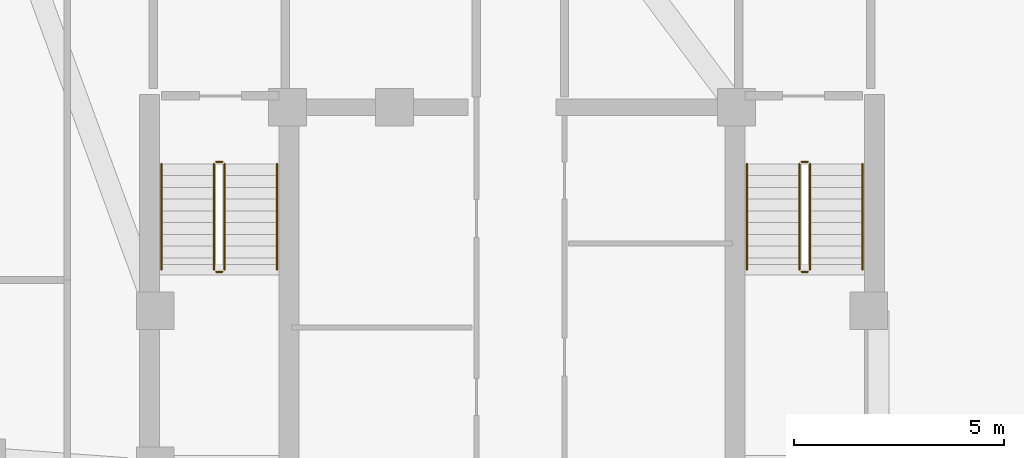
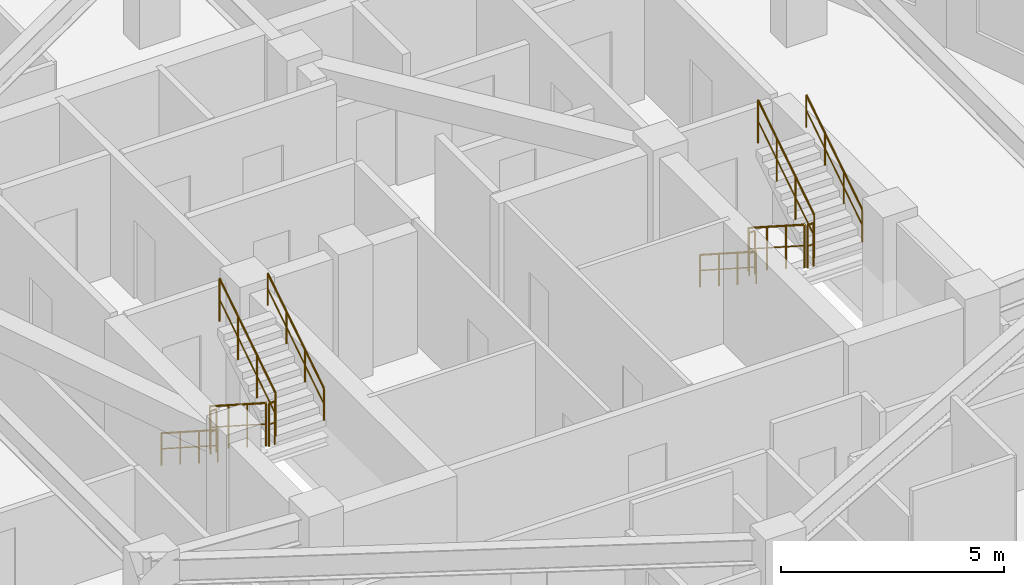
# One storey, part 12 of 12: 12 railings.
"""IFC4 building model written with IfcOpenShell, lengths in metres."""

from ifc_helpers import new_model, si_unit, direction, frame, origin, origin_2d, place, context, subcontext, project, spatial, circle, extrude, material, type_object, element, save


model = new_model("IFC4")

# Units and contexts
model_context = context("Model", 3, precision=1e-05, world=origin(), true_north=direction((0.0, 1.0)))
body_context = subcontext(model_context, "Body", "Model", "MODEL_VIEW")
ifc_project = project(units=[si_unit("LENGTHUNIT", "METRE"), si_unit("AREAUNIT", "SQUARE_METRE"), si_unit("VOLUMEUNIT", "CUBIC_METRE"), si_unit("PLANEANGLEUNIT", "RADIAN"), si_unit("MASSUNIT", "GRAM", prefix="KILO")], contexts=[model_context])

# Site, building, storey
site_placement = place(None, origin())
site = spatial("IfcSite", under=ifc_project, at=site_placement, CompositionType="ELEMENT")
building_placement = place(site_placement, origin())
building = spatial("IfcBuilding", under=site, at=building_placement, Name="Miruveldt Soraemaru", CompositionType="ELEMENT")
storey_placement = place(building_placement, frame((0.0, 0.0, 216.0)))
storey = spatial("IfcBuildingStorey", under=building, at=storey_placement, Name="L59", CompositionType="ELEMENT", Elevation=216.0)

# Railings
ifc_material = material(Name="Steel S355 (355 MPa)", Category="steel")
railing_type_1 = type_object("IfcRailingType", Name="RAIL-HR-900", PredefinedType="HANDRAIL", material=ifc_material)
railing_1_placement = place(storey_placement, frame((35.64990234375, 42.699951171875, 0.179931640625)))
element("IfcRailing", 1, at=railing_1_placement, inside=storey, type_object=railing_type_1, Name="L59 ST-1 stair handrail 1", PredefinedType="HANDRAIL", context=body_context, shape_type="SweptSolid", body=[
    extrude(circle(Radius=0.02392578125, at=origin_2d()), frame((0.0, 0.0, 0.8759765625), z_axis=(0.0, -0.841162588446, 0.540782303519), x_axis=(1.0, 0.0, 0.0)), (0.0, 0.0, 1.0), 2.995849609375),
    extrude(circle(Radius=0.01611328125, at=origin_2d()), frame((0.0, 0.0, 0.449951171875), z_axis=(0.0, -0.841162588446, 0.540782303519), x_axis=(1.0, 0.0, 0.0)), (0.0, 0.0, 1.0), 2.995849609375),
    extrude(circle(Radius=0.02099609375, at=origin_2d()), origin(), (0.0, 0.0, 1.0), 0.851806640625),
    extrude(circle(Radius=0.02099609375, at=origin_2d()), frame((0.0, -0.840087890625, 0.5400390625)), (0.0, 0.0, 1.0), 0.851806640625),
    extrude(circle(Radius=0.02099609375, at=origin_2d()), frame((0.0, -1.679931640625, 1.080078125)), (0.0, 0.0, 1.0), 0.851806640625),
    extrude(circle(Radius=0.02099609375, at=origin_2d()), frame((0.0, -2.52001953125, 1.6201171875)), (0.0, 0.0, 1.0), 0.851806640625),
])
railing_2_placement = place(storey_placement, frame((38.39990234375, 40.179931640625, 1.97998046875)))
element("IfcRailing", 2, at=railing_2_placement, inside=storey, type_object=railing_type_1, Name="L59 ST-1 stair handrail 2", PredefinedType="HANDRAIL", context=body_context, shape_type="SweptSolid", body=[
    extrude(circle(Radius=0.02392578125, at=origin_2d()), frame((0.0, 0.0, 0.8759765625), z_axis=(0.0, 0.841162588446, 0.540782303519), x_axis=(-1.0, 0.0, 0.0)), (0.0, 0.0, 1.0), 2.995849609375),
    extrude(circle(Radius=0.01611328125, at=origin_2d()), frame((0.0, 0.0, 0.449951171875), z_axis=(0.0, 0.841162588446, 0.540782303519), x_axis=(-1.0, 0.0, 0.0)), (0.0, 0.0, 1.0), 2.995849609375),
    extrude(circle(Radius=0.02099609375, at=origin_2d()), origin(), (0.0, 0.0, 1.0), 0.851806640625),
    extrude(circle(Radius=0.02099609375, at=origin_2d()), frame((0.0, 0.840087890625, 0.5400390625)), (0.0, 0.0, 1.0), 0.851806640625),
    extrude(circle(Radius=0.02099609375, at=origin_2d()), frame((0.0, 1.679931640625, 1.080078125)), (0.0, 0.0, 1.0), 0.851806640625),
    extrude(circle(Radius=0.02099609375, at=origin_2d()), frame((0.0, 2.52001953125, 1.6201171875)), (0.0, 0.0, 1.0), 0.851806640625),
])
railing_3_placement = place(storey_placement, frame((49.60009765625, 42.699951171875, 0.179931640625)))
element("IfcRailing", 3, at=railing_3_placement, inside=storey, type_object=railing_type_1, Name="L59 ST-2 stair handrail 1", PredefinedType="HANDRAIL", context=body_context, shape_type="SweptSolid", body=[
    extrude(circle(Radius=0.02392578125, at=origin_2d()), frame((0.0, 0.0, 0.8759765625), z_axis=(0.0, -0.841162588446, 0.540782303519), x_axis=(1.0, 0.0, 0.0)), (0.0, 0.0, 1.0), 2.995849609375),
    extrude(circle(Radius=0.01611328125, at=origin_2d()), frame((0.0, 0.0, 0.449951171875), z_axis=(0.0, -0.841162588446, 0.540782303519), x_axis=(1.0, 0.0, 0.0)), (0.0, 0.0, 1.0), 2.995849609375),
    extrude(circle(Radius=0.02099609375, at=origin_2d()), origin(), (0.0, 0.0, 1.0), 0.851806640625),
    extrude(circle(Radius=0.02099609375, at=origin_2d()), frame((0.0, -0.840087890625, 0.5400390625)), (0.0, 0.0, 1.0), 0.851806640625),
    extrude(circle(Radius=0.02099609375, at=origin_2d()), frame((0.0, -1.679931640625, 1.080078125)), (0.0, 0.0, 1.0), 0.851806640625),
    extrude(circle(Radius=0.02099609375, at=origin_2d()), frame((0.0, -2.52001953125, 1.6201171875)), (0.0, 0.0, 1.0), 0.851806640625),
])
railing_4_placement = place(storey_placement, frame((52.35009765625, 40.179931640625, 1.97998046875)))
element("IfcRailing", 4, at=railing_4_placement, inside=storey, type_object=railing_type_1, Name="L59 ST-2 stair handrail 2", PredefinedType="HANDRAIL", context=body_context, shape_type="SweptSolid", body=[
    extrude(circle(Radius=0.02392578125, at=origin_2d()), frame((0.0, 0.0, 0.8759765625), z_axis=(0.0, 0.841162588446, 0.540782303519), x_axis=(-1.0, 0.0, 0.0)), (0.0, 0.0, 1.0), 2.995849609375),
    extrude(circle(Radius=0.01611328125, at=origin_2d()), frame((0.0, 0.0, 0.449951171875), z_axis=(0.0, 0.841162588446, 0.540782303519), x_axis=(-1.0, 0.0, 0.0)), (0.0, 0.0, 1.0), 2.995849609375),
    extrude(circle(Radius=0.02099609375, at=origin_2d()), origin(), (0.0, 0.0, 1.0), 0.851806640625),
    extrude(circle(Radius=0.02099609375, at=origin_2d()), frame((0.0, 0.840087890625, 0.5400390625)), (0.0, 0.0, 1.0), 0.851806640625),
    extrude(circle(Radius=0.02099609375, at=origin_2d()), frame((0.0, 1.679931640625, 1.080078125)), (0.0, 0.0, 1.0), 0.851806640625),
    extrude(circle(Radius=0.02099609375, at=origin_2d()), frame((0.0, 2.52001953125, 1.6201171875)), (0.0, 0.0, 1.0), 0.851806640625),
])
railing_type_2 = type_object("IfcRailingType", Name="RAIL-STGUARD-1200", PredefinedType="GUARDRAIL", material=ifc_material)
railing_5_placement = place(storey_placement, frame((36.89990234375, 42.699951171875, 0.179931640625)))
element("IfcRailing", 5, at=railing_5_placement, inside=storey, type_object=railing_type_2, Name="L59 ST-1 stair guard 1", PredefinedType="GUARDRAIL", context=body_context, shape_type="SweptSolid", body=[
    extrude(circle(Radius=0.02392578125, at=origin_2d()), frame((0.0, 0.0, 1.17578125), z_axis=(0.0, -0.841162588446, 0.540782303519), x_axis=(1.0, 0.0, 0.0)), (0.0, 0.0, 1.0), 2.995849609375),
    extrude(circle(Radius=0.01611328125, at=origin_2d()), frame((0.0, 0.0, 0.60009765625), z_axis=(0.0, -0.841162588446, 0.540782303519), x_axis=(1.0, 0.0, 0.0)), (0.0, 0.0, 1.0), 2.995849609375),
    extrude(circle(Radius=0.02099609375, at=origin_2d()), origin(), (0.0, 0.0, 1.0), 1.15185546875),
    extrude(circle(Radius=0.02099609375, at=origin_2d()), frame((0.0, -0.840087890625, 0.5400390625)), (0.0, 0.0, 1.0), 1.15185546875),
    extrude(circle(Radius=0.02099609375, at=origin_2d()), frame((0.0, -1.679931640625, 1.080078125)), (0.0, 0.0, 1.0), 1.15185546875),
    extrude(circle(Radius=0.02099609375, at=origin_2d()), frame((0.0, -2.52001953125, 1.6201171875)), (0.0, 0.0, 1.0), 1.15185546875),
])
railing_6_placement = place(storey_placement, frame((36.949951171875, 40.1298828125, 1.800048828125)))
element("IfcRailing", 6, at=railing_6_placement, inside=storey, type_object=railing_type_2, Name="L59 ST-1 stair guard 2", PredefinedType="GUARDRAIL", context=body_context, shape_type="SweptSolid", body=[
    extrude(circle(Radius=0.02392578125, at=origin_2d()), frame((0.0, 0.0, 1.17578125), z_axis=(1.0, 0.0, 0.0), x_axis=(0.0, 1.0, 0.0)), (0.0, 0.0, 1.0), 0.150146484375),
    extrude(circle(Radius=0.01611328125, at=origin_2d()), frame((0.0, 0.0, 0.60009765625), z_axis=(1.0, 0.0, 0.0), x_axis=(0.0, 1.0, 0.0)), (0.0, 0.0, 1.0), 0.150146484375),
    extrude(circle(Radius=0.02099609375, at=origin_2d()), origin(), (0.0, 0.0, 1.0), 1.15185546875),
    extrude(circle(Radius=0.02099609375, at=origin_2d()), frame((0.150146484375, 0.0, 0.0)), (0.0, 0.0, 1.0), 1.15185546875),
])
railing_7_placement = place(storey_placement, frame((37.14990234375, 40.179931640625, 1.97998046875)))
element("IfcRailing", 7, at=railing_7_placement, inside=storey, type_object=railing_type_2, Name="L59 ST-1 stair guard 3", PredefinedType="GUARDRAIL", context=body_context, shape_type="SweptSolid", body=[
    extrude(circle(Radius=0.02392578125, at=origin_2d()), frame((0.0, 0.0, 1.17578125), z_axis=(0.0, 0.841162588446, 0.540782303519), x_axis=(-1.0, 0.0, 0.0)), (0.0, 0.0, 1.0), 2.995849609375),
    extrude(circle(Radius=0.01611328125, at=origin_2d()), frame((0.0, 0.0, 0.60009765625), z_axis=(0.0, 0.841162588446, 0.540782303519), x_axis=(-1.0, 0.0, 0.0)), (0.0, 0.0, 1.0), 2.995849609375),
    extrude(circle(Radius=0.02099609375, at=origin_2d()), origin(), (0.0, 0.0, 1.0), 1.15185546875),
    extrude(circle(Radius=0.02099609375, at=origin_2d()), frame((0.0, 0.840087890625, 0.5400390625)), (0.0, 0.0, 1.0), 1.15185546875),
    extrude(circle(Radius=0.02099609375, at=origin_2d()), frame((0.0, 1.679931640625, 1.080078125)), (0.0, 0.0, 1.0), 1.15185546875),
    extrude(circle(Radius=0.02099609375, at=origin_2d()), frame((0.0, 2.52001953125, 1.6201171875)), (0.0, 0.0, 1.0), 1.15185546875),
])
railing_8_placement = place(storey_placement, frame((36.949951171875, 42.75, 0.0)))
element("IfcRailing", 8, at=railing_8_placement, inside=storey, type_object=railing_type_2, Name="L59 ST-1 stair guard 4", PredefinedType="GUARDRAIL", context=body_context, shape_type="SweptSolid", body=[
    extrude(circle(Radius=0.02392578125, at=origin_2d()), frame((0.0, 0.0, 1.17578125), z_axis=(1.0, 0.0, 0.0), x_axis=(0.0, 1.0, 0.0)), (0.0, 0.0, 1.0), 0.150146484375),
    extrude(circle(Radius=0.01611328125, at=origin_2d()), frame((0.0, 0.0, 0.60009765625), z_axis=(1.0, 0.0, 0.0), x_axis=(0.0, 1.0, 0.0)), (0.0, 0.0, 1.0), 0.150146484375),
    extrude(circle(Radius=0.02099609375, at=origin_2d()), origin(), (0.0, 0.0, 1.0), 1.15185546875),
    extrude(circle(Radius=0.02099609375, at=origin_2d()), frame((0.150146484375, 0.0, 0.0)), (0.0, 0.0, 1.0), 1.15185546875),
])
railing_9_placement = place(storey_placement, frame((50.85009765625, 42.699951171875, 0.179931640625)))
element("IfcRailing", 9, at=railing_9_placement, inside=storey, type_object=railing_type_2, Name="L59 ST-2 stair guard 1", PredefinedType="GUARDRAIL", context=body_context, shape_type="SweptSolid", body=[
    extrude(circle(Radius=0.02392578125, at=origin_2d()), frame((0.0, 0.0, 1.17578125), z_axis=(0.0, -0.841162588446, 0.540782303519), x_axis=(1.0, 0.0, 0.0)), (0.0, 0.0, 1.0), 2.995849609375),
    extrude(circle(Radius=0.01611328125, at=origin_2d()), frame((0.0, 0.0, 0.60009765625), z_axis=(0.0, -0.841162588446, 0.540782303519), x_axis=(1.0, 0.0, 0.0)), (0.0, 0.0, 1.0), 2.995849609375),
    extrude(circle(Radius=0.02099609375, at=origin_2d()), origin(), (0.0, 0.0, 1.0), 1.15185546875),
    extrude(circle(Radius=0.02099609375, at=origin_2d()), frame((0.0, -0.840087890625, 0.5400390625)), (0.0, 0.0, 1.0), 1.15185546875),
    extrude(circle(Radius=0.02099609375, at=origin_2d()), frame((0.0, -1.679931640625, 1.080078125)), (0.0, 0.0, 1.0), 1.15185546875),
    extrude(circle(Radius=0.02099609375, at=origin_2d()), frame((0.0, -2.52001953125, 1.6201171875)), (0.0, 0.0, 1.0), 1.15185546875),
])
railing_10_placement = place(storey_placement, frame((50.89990234375, 40.1298828125, 1.800048828125)))
element("IfcRailing", 10, at=railing_10_placement, inside=storey, type_object=railing_type_2, Name="L59 ST-2 stair guard 2", PredefinedType="GUARDRAIL", context=body_context, shape_type="SweptSolid", body=[
    extrude(circle(Radius=0.02392578125, at=origin_2d()), frame((0.0, 0.0, 1.17578125), z_axis=(1.0, 0.0, 0.0), x_axis=(0.0, 1.0, 0.0)), (0.0, 0.0, 1.0), 0.150146484375),
    extrude(circle(Radius=0.01611328125, at=origin_2d()), frame((0.0, 0.0, 0.60009765625), z_axis=(1.0, 0.0, 0.0), x_axis=(0.0, 1.0, 0.0)), (0.0, 0.0, 1.0), 0.150146484375),
    extrude(circle(Radius=0.02099609375, at=origin_2d()), origin(), (0.0, 0.0, 1.0), 1.15185546875),
    extrude(circle(Radius=0.02099609375, at=origin_2d()), frame((0.150146484375, 0.0, 0.0)), (0.0, 0.0, 1.0), 1.15185546875),
])
railing_11_placement = place(storey_placement, frame((51.10009765625, 40.179931640625, 1.97998046875)))
element("IfcRailing", 11, at=railing_11_placement, inside=storey, type_object=railing_type_2, Name="L59 ST-2 stair guard 3", PredefinedType="GUARDRAIL", context=body_context, shape_type="SweptSolid", body=[
    extrude(circle(Radius=0.02392578125, at=origin_2d()), frame((0.0, 0.0, 1.17578125), z_axis=(0.0, 0.841162588446, 0.540782303519), x_axis=(-1.0, 0.0, 0.0)), (0.0, 0.0, 1.0), 2.995849609375),
    extrude(circle(Radius=0.01611328125, at=origin_2d()), frame((0.0, 0.0, 0.60009765625), z_axis=(0.0, 0.841162588446, 0.540782303519), x_axis=(-1.0, 0.0, 0.0)), (0.0, 0.0, 1.0), 2.995849609375),
    extrude(circle(Radius=0.02099609375, at=origin_2d()), origin(), (0.0, 0.0, 1.0), 1.15185546875),
    extrude(circle(Radius=0.02099609375, at=origin_2d()), frame((0.0, 0.840087890625, 0.5400390625)), (0.0, 0.0, 1.0), 1.15185546875),
    extrude(circle(Radius=0.02099609375, at=origin_2d()), frame((0.0, 1.679931640625, 1.080078125)), (0.0, 0.0, 1.0), 1.15185546875),
    extrude(circle(Radius=0.02099609375, at=origin_2d()), frame((0.0, 2.52001953125, 1.6201171875)), (0.0, 0.0, 1.0), 1.15185546875),
])
railing_12_placement = place(storey_placement, frame((50.89990234375, 42.75, 0.0)))
element("IfcRailing", 12, at=railing_12_placement, inside=storey, type_object=railing_type_2, Name="L59 ST-2 stair guard 4", PredefinedType="GUARDRAIL", context=body_context, shape_type="SweptSolid", body=[
    extrude(circle(Radius=0.02392578125, at=origin_2d()), frame((0.0, 0.0, 1.17578125), z_axis=(1.0, 0.0, 0.0), x_axis=(0.0, 1.0, 0.0)), (0.0, 0.0, 1.0), 0.150146484375),
    extrude(circle(Radius=0.01611328125, at=origin_2d()), frame((0.0, 0.0, 0.60009765625), z_axis=(1.0, 0.0, 0.0), x_axis=(0.0, 1.0, 0.0)), (0.0, 0.0, 1.0), 0.150146484375),
    extrude(circle(Radius=0.02099609375, at=origin_2d()), origin(), (0.0, 0.0, 1.0), 1.15185546875),
    extrude(circle(Radius=0.02099609375, at=origin_2d()), frame((0.150146484375, 0.0, 0.0)), (0.0, 0.0, 1.0), 1.15185546875),
])

save(model, "model.ifc")
